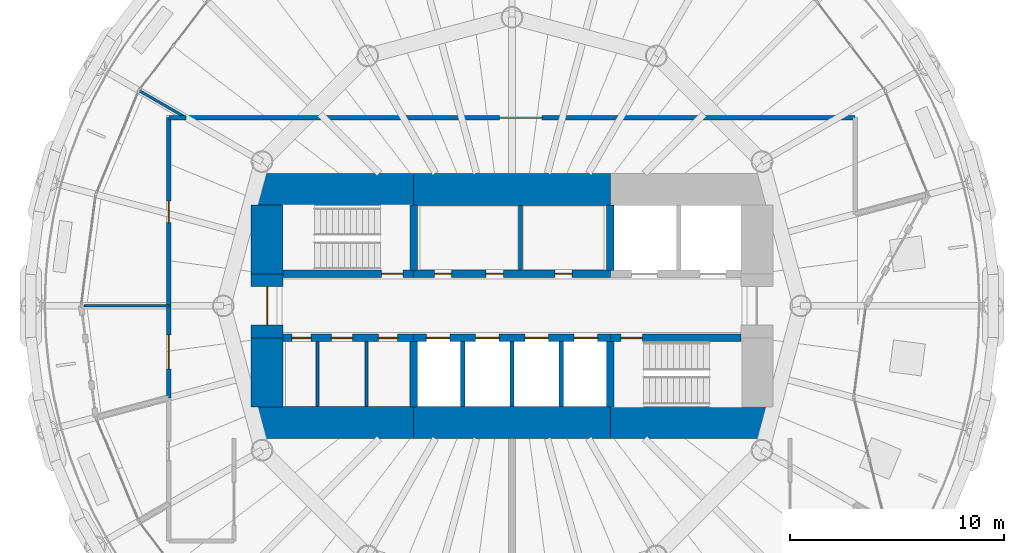
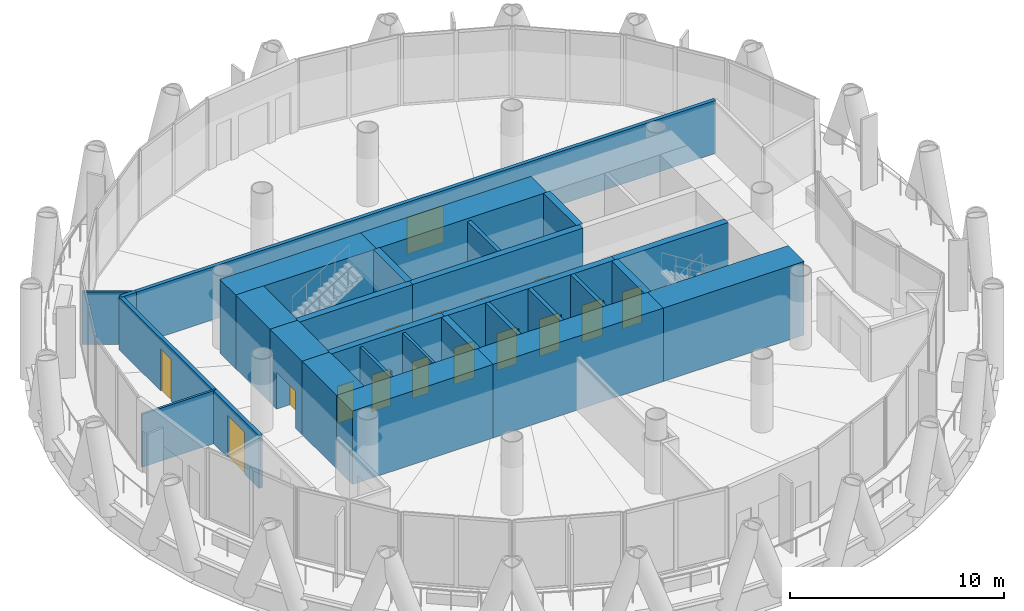
# One storey, part 9 of 13: 29 walls, 16 doors, 16 openings.
"""IFC4 building model written with IfcOpenShell, lengths in metres."""

from ifc_helpers import new_model, si_unit, direction, frame, frame_2d, origin, place, context, subcontext, project, spatial, rectangle, extrude, material, layer, layer_set, type_object, element, fill, save


model = new_model("IFC4")

# Units and contexts
model_context = context("Model", 3, precision=1e-05, world=origin(), true_north=direction((0.0, 1.0)))
body_context = subcontext(model_context, "Body", "Model", "MODEL_VIEW")
ifc_project = project(units=[si_unit("LENGTHUNIT", "METRE"), si_unit("AREAUNIT", "SQUARE_METRE"), si_unit("VOLUMEUNIT", "CUBIC_METRE"), si_unit("PLANEANGLEUNIT", "RADIAN"), si_unit("MASSUNIT", "GRAM", prefix="KILO")], contexts=[model_context])

# Site, building, storey
site_placement = place(None, origin())
site = spatial("IfcSite", under=ifc_project, at=site_placement, CompositionType="ELEMENT")
building_placement = place(site_placement, origin())
building = spatial("IfcBuilding", under=site, at=building_placement, Name="Qaws Media Tower", CompositionType="ELEMENT")
storey_placement = place(building_placement, frame((0.0, 0.0, 223.39990234375)))
storey = spatial("IfcBuildingStorey", under=building, at=storey_placement, Name="L51", CompositionType="ELEMENT", Elevation=223.39990234375)

# Wall, opening, door
ifc_material_1 = material(Name="Concrete C60/75", Category="concrete")
ifc_layer_1 = layer(ifc_material_1, 0.35009765625)
ifc_layer_set_1 = layer_set([ifc_layer_1], Name="Core inner wall 350")
wall_type_1 = type_object("IfcWallType", Name="Core inner wall 350", PredefinedType="SHEAR", material=ifc_layer_set_1)
wall_1_placement = place(storey_placement, frame((49.280029296875, 51.5, 0.0), z_axis=(0.0, 0.0, 1.0), x_axis=(1.0, 0.0, 0.0)))
wall_1 = element("IfcWall", 1, at=wall_1_placement, inside=storey, type_object=wall_type_1, Name="W301 SW5 core wall SPNW L51", PredefinedType="SHEAR", context=body_context, shape_type="SweptSolid", body=[
    extrude(rectangle(XDim=6.119873046875, YDim=0.35009765625, at=frame_2d((3.06005859375, 0.0))), origin(), (0.0, 0.0, 1.0), 4.2001953125),
])
opening_1_placement = place(wall_1_placement, frame((4.6201171875, 0.0, 0.0)))
opening_1 = element("IfcOpeningElement", 2, at=opening_1_placement, cuts=wall_1, Name="Opening D1", PredefinedType="OPENING", context=body_context, shape_type="SweptSolid", body=[
    extrude(rectangle(XDim=1.0, YDim=2.10009765625, at=frame_2d((0.5, 1.050048828125))), frame((0.0, 0.18505859375, 0.0), z_axis=(0.0, -1.0, 0.0), x_axis=(1.0, 0.0, 0.0)), (0.0, 0.0, 1.0), 0.3701171875),
])
ifc_material_2 = material(Name="Steel, fire rated", Category="steel")
door_type_1 = type_object("IfcDoorType", Name="Stair door 1000 FD120", OperationType="SINGLE_SWING_LEFT", PredefinedType="DOOR", material=ifc_material_2)
door_1_placement = place(opening_1_placement, origin())
door_1 = element("IfcDoor", 3, at=door_1_placement, inside=storey, type_object=door_type_1, Name="D1 stair S1 door L51 in wall W301", OperationType="SINGLE_SWING_LEFT", OverallHeight=2.10009765625, OverallWidth=1.0, PredefinedType="DOOR", context=body_context, shape_type="SweptSolid", body=[
    extrude(rectangle(XDim=1.0, YDim=2.10009765625, at=frame_2d((0.5, 1.050048828125))), frame((0.0, 0.02490234375, 0.0), z_axis=(0.0, -1.0, 0.0), x_axis=(1.0, 0.0, 0.0)), (0.0, 0.0, 1.0), 0.050048828125),
])
fill(opening_1, door_1)

# Wall, openings, doors
wall_2_placement = place(storey_placement, frame((55.39990234375, 51.5, 0.0), z_axis=(0.0, 0.0, 1.0), x_axis=(1.0, 0.0, 0.0)))
wall_2 = element("IfcWall", 4, at=wall_2_placement, inside=storey, type_object=wall_type_1, Name="W304 SW5 core wall SPN L51", PredefinedType="SHEAR", context=body_context, shape_type="SweptSolid", body=[
    extrude(rectangle(XDim=9.2001953125, YDim=0.35009765625, at=frame_2d((4.60009765625, 0.0))), origin(), (0.0, 0.0, 1.0), 4.2001953125),
])
opening_2_placement = place(wall_2_placement, frame((0.981689453125, 0.0, 0.0)))
opening_2 = element("IfcOpeningElement", 5, at=opening_2_placement, cuts=wall_2, Name="Opening D23", PredefinedType="OPENING", context=body_context, shape_type="SweptSolid", body=[
    extrude(rectangle(XDim=0.800048828125, YDim=2.10009765625, at=frame_2d((0.39990234375, 1.050048828125))), frame((0.0, 0.18505859375, 0.0), z_axis=(0.0, -1.0, 0.0), x_axis=(1.0, 0.0, 0.0)), (0.0, 0.0, 1.0), 0.3701171875),
])
opening_3_placement = place(wall_2_placement, frame((3.3955078125, 0.0, 0.0)))
opening_3 = element("IfcOpeningElement", 6, at=opening_3_placement, cuts=wall_2, Name="Opening D23", PredefinedType="OPENING", context=body_context, shape_type="SweptSolid", body=[
    extrude(rectangle(XDim=0.800048828125, YDim=2.10009765625, at=frame_2d((0.39990234375, 1.050048828125))), frame((0.0, 0.18505859375, 0.0), z_axis=(0.0, -1.0, 0.0), x_axis=(1.0, 0.0, 0.0)), (0.0, 0.0, 1.0), 0.3701171875),
])
opening_4_placement = place(wall_2_placement, frame((6.613525390625, 0.0, 0.0)))
opening_4 = element("IfcOpeningElement", 7, at=opening_4_placement, cuts=wall_2, Name="Opening D23", PredefinedType="OPENING", context=body_context, shape_type="SweptSolid", body=[
    extrude(rectangle(XDim=0.800048828125, YDim=2.10009765625, at=frame_2d((0.39990234375, 1.050048828125))), frame((0.0, 0.18505859375, 0.0), z_axis=(0.0, -1.0, 0.0), x_axis=(1.0, 0.0, 0.0)), (0.0, 0.0, 1.0), 0.3701171875),
])
ifc_material_3 = material(Name="Steel, fire rated", Category="steel")
door_type_2 = type_object("IfcDoorType", Name="Core room door 800x2100", OperationType="SINGLE_SWING_LEFT", PredefinedType="DOOR", material=ifc_material_3)
door_2_placement = place(opening_2_placement, origin())
door_2 = element("IfcDoor", 8, at=door_2_placement, inside=storey, type_object=door_type_2, Name="D23 Ladies toilets door L51 1 in wall W304", OperationType="SINGLE_SWING_LEFT", OverallHeight=2.10009765625, OverallWidth=0.800048828125, PredefinedType="DOOR", context=body_context, shape_type="SweptSolid", body=[
    extrude(rectangle(XDim=0.800048828125, YDim=2.10009765625, at=frame_2d((0.39990234375, 1.050048828125))), frame((0.0, 0.02490234375, 0.0), z_axis=(0.0, -1.0, 0.0), x_axis=(1.0, 0.0, 0.0)), (0.0, 0.0, 1.0), 0.050048828125),
])
fill(opening_2, door_2)
door_3_placement = place(opening_3_placement, origin())
door_3 = element("IfcDoor", 9, at=door_3_placement, inside=storey, type_object=door_type_2, Name="D23 Ladies toilets door L51 2 in wall W304", OperationType="SINGLE_SWING_LEFT", OverallHeight=2.10009765625, OverallWidth=0.800048828125, PredefinedType="DOOR", context=body_context, shape_type="SweptSolid", body=[
    extrude(rectangle(XDim=0.800048828125, YDim=2.10009765625, at=frame_2d((0.39990234375, 1.050048828125))), frame((0.0, 0.02490234375, 0.0), z_axis=(0.0, -1.0, 0.0), x_axis=(1.0, 0.0, 0.0)), (0.0, 0.0, 1.0), 0.050048828125),
])
fill(opening_3, door_3)
door_4_placement = place(opening_4_placement, origin())
door_4 = element("IfcDoor", 10, at=door_4_placement, inside=storey, type_object=door_type_2, Name="D23 Gents toilets door L51 in wall W304", OperationType="SINGLE_SWING_LEFT", OverallHeight=2.10009765625, OverallWidth=0.800048828125, PredefinedType="DOOR", context=body_context, shape_type="SweptSolid", body=[
    extrude(rectangle(XDim=0.800048828125, YDim=2.10009765625, at=frame_2d((0.39990234375, 1.050048828125))), frame((0.0, 0.02490234375, 0.0), z_axis=(0.0, -1.0, 0.0), x_axis=(1.0, 0.0, 0.0)), (0.0, 0.0, 1.0), 0.050048828125),
])
fill(opening_4, door_4)

wall_3_placement = place(storey_placement, frame((49.280029296875, 48.5, 0.0), z_axis=(0.0, 0.0, 1.0), x_axis=(1.0, 0.0, 0.0)))
wall_3 = element("IfcWall", 11, at=wall_3_placement, inside=storey, type_object=wall_type_1, Name="W300 SW5 core wall SPSW L51", PredefinedType="SHEAR", context=body_context, shape_type="SweptSolid", body=[
    extrude(rectangle(XDim=6.119873046875, YDim=0.35009765625, at=frame_2d((3.06005859375, 0.0))), origin(), (0.0, 0.0, 1.0), 4.2001953125),
])
opening_5_placement = place(wall_3_placement, frame((0.419921875, 0.0, 0.0)))
opening_5 = element("IfcOpeningElement", 12, at=opening_5_placement, cuts=wall_3, Name="Opening D25", PredefinedType="OPENING", context=body_context, shape_type="SweptSolid", body=[
    extrude(rectangle(XDim=0.89990234375, YDim=2.10009765625, at=frame_2d((0.449951171875, 1.050048828125))), frame((0.0, 0.18505859375, 0.0), z_axis=(0.0, -1.0, 0.0), x_axis=(1.0, 0.0, 0.0)), (0.0, 0.0, 1.0), 0.3701171875),
])
opening_6_placement = place(wall_3_placement, frame((2.27001953125, 0.0, 0.0)))
opening_6 = element("IfcOpeningElement", 13, at=opening_6_placement, cuts=wall_3, Name="Opening D4", PredefinedType="OPENING", context=body_context, shape_type="SweptSolid", body=[
    extrude(rectangle(XDim=1.0, YDim=2.10009765625, at=frame_2d((0.5, 1.050048828125))), frame((0.0, 0.18505859375, 0.0), z_axis=(0.0, -1.0, 0.0), x_axis=(1.0, 0.0, 0.0)), (0.0, 0.0, 1.0), 0.3701171875),
])
opening_7_placement = place(wall_3_placement, frame((4.469970703125, 0.0, 0.0)))
opening_7 = element("IfcOpeningElement", 14, at=opening_7_placement, cuts=wall_3, Name="Opening D25", PredefinedType="OPENING", context=body_context, shape_type="SweptSolid", body=[
    extrude(rectangle(XDim=0.89990234375, YDim=2.10009765625, at=frame_2d((0.449951171875, 1.050048828125))), frame((0.0, 0.18505859375, 0.0), z_axis=(0.0, -1.0, 0.0), x_axis=(1.0, 0.0, 0.0)), (0.0, 0.0, 1.0), 0.3701171875),
])
ifc_material_4 = material(Name="Timber veneered", Category="wood")
door_type_3 = type_object("IfcDoorType", Name="Accessible WC door 1000", OperationType="SLIDING_TO_LEFT", PredefinedType="DOOR", material=ifc_material_4)
door_5_placement = place(opening_6_placement, origin())
door_5 = element("IfcDoor", 15, at=door_5_placement, inside=storey, type_object=door_type_3, Name="D4 toilet door 2 L51 in wall W300", OperationType="SLIDING_TO_LEFT", OverallHeight=2.10009765625, OverallWidth=1.0, PredefinedType="DOOR", context=body_context, shape_type="SweptSolid", body=[
    extrude(rectangle(XDim=1.0, YDim=2.10009765625, at=frame_2d((0.5, 1.050048828125))), frame((0.0, 0.02490234375, 0.0), z_axis=(0.0, -1.0, 0.0), x_axis=(1.0, 0.0, 0.0)), (0.0, 0.0, 1.0), 0.050048828125),
])
fill(opening_6, door_5)
ifc_material_5 = material(Name="Steel, fire rated", Category="steel")
door_type_4 = type_object("IfcDoorType", Name="Core service door 900", OperationType="SINGLE_SWING_RIGHT", PredefinedType="DOOR", material=ifc_material_5)
door_6_placement = place(opening_5_placement, origin())
door_6 = element("IfcDoor", 16, at=door_6_placement, inside=storey, type_object=door_type_4, Name="D25 toilet door 1 L51 in wall W300", OperationType="SINGLE_SWING_RIGHT", OverallHeight=2.10009765625, OverallWidth=0.89990234375, PredefinedType="DOOR", context=body_context, shape_type="SweptSolid", body=[
    extrude(rectangle(XDim=0.89990234375, YDim=2.10009765625, at=frame_2d((0.449951171875, 1.050048828125))), frame((0.0, 0.02490234375, 0.0), z_axis=(0.0, -1.0, 0.0), x_axis=(1.0, 0.0, 0.0)), (0.0, 0.0, 1.0), 0.050048828125),
])
fill(opening_5, door_6)
door_7_placement = place(opening_7_placement, origin())
door_7 = element("IfcDoor", 17, at=door_7_placement, inside=storey, type_object=door_type_4, Name="D25 toilet door 3 L51 in wall W300", OperationType="SINGLE_SWING_RIGHT", OverallHeight=2.10009765625, OverallWidth=0.89990234375, PredefinedType="DOOR", context=body_context, shape_type="SweptSolid", body=[
    extrude(rectangle(XDim=0.89990234375, YDim=2.10009765625, at=frame_2d((0.449951171875, 1.050048828125))), frame((0.0, 0.02490234375, 0.0), z_axis=(0.0, -1.0, 0.0), x_axis=(1.0, 0.0, 0.0)), (0.0, 0.0, 1.0), 0.050048828125),
])
fill(opening_7, door_7)

wall_4_placement = place(storey_placement, frame((55.39990234375, 48.5, 0.0), z_axis=(0.0, 0.0, 1.0), x_axis=(1.0, 0.0, 0.0)))
wall_4 = element("IfcWall", 18, at=wall_4_placement, inside=storey, type_object=wall_type_1, Name="W303 SW5 core wall SPS L51", PredefinedType="SHEAR", context=body_context, shape_type="SweptSolid", body=[
    extrude(rectangle(XDim=9.2001953125, YDim=0.35009765625, at=frame_2d((4.60009765625, 0.0))), origin(), (0.0, 0.0, 1.0), 4.2001953125),
])
opening_8_placement = place(wall_4_placement, frame((0.60009765625, 0.0, 0.0)))
opening_8 = element("IfcOpeningElement", 19, at=opening_8_placement, cuts=wall_4, Name="Opening LD", PredefinedType="OPENING", context=body_context, shape_type="SweptSolid", body=[
    extrude(rectangle(XDim=1.10009765625, YDim=2.10009765625, at=frame_2d((0.550048828125, 1.050048828125))), frame((0.0, 0.18505859375, 0.0), z_axis=(0.0, -1.0, 0.0), x_axis=(1.0, 0.0, 0.0)), (0.0, 0.0, 1.0), 0.3701171875),
])
opening_9_placement = place(wall_4_placement, frame((2.89990234375, 0.0, 0.0)))
opening_9 = element("IfcOpeningElement", 20, at=opening_9_placement, cuts=wall_4, Name="Opening LD", PredefinedType="OPENING", context=body_context, shape_type="SweptSolid", body=[
    extrude(rectangle(XDim=1.10009765625, YDim=2.10009765625, at=frame_2d((0.550048828125, 1.050048828125))), frame((0.0, 0.18505859375, 0.0), z_axis=(0.0, -1.0, 0.0), x_axis=(1.0, 0.0, 0.0)), (0.0, 0.0, 1.0), 0.3701171875),
])
opening_10_placement = place(wall_4_placement, frame((5.199951171875, 0.0, 0.0)))
opening_10 = element("IfcOpeningElement", 21, at=opening_10_placement, cuts=wall_4, Name="Opening LD", PredefinedType="OPENING", context=body_context, shape_type="SweptSolid", body=[
    extrude(rectangle(XDim=1.10009765625, YDim=2.10009765625, at=frame_2d((0.550048828125, 1.050048828125))), frame((0.0, 0.18505859375, 0.0), z_axis=(0.0, -1.0, 0.0), x_axis=(1.0, 0.0, 0.0)), (0.0, 0.0, 1.0), 0.3701171875),
])
opening_11_placement = place(wall_4_placement, frame((7.5, 0.0, 0.0)))
opening_11 = element("IfcOpeningElement", 22, at=opening_11_placement, cuts=wall_4, Name="Opening LD", PredefinedType="OPENING", context=body_context, shape_type="SweptSolid", body=[
    extrude(rectangle(XDim=1.10009765625, YDim=2.10009765625, at=frame_2d((0.550048828125, 1.050048828125))), frame((0.0, 0.18505859375, 0.0), z_axis=(0.0, -1.0, 0.0), x_axis=(1.0, 0.0, 0.0)), (0.0, 0.0, 1.0), 0.3701171875),
])
ifc_material_6 = material(Name="Steel, fire rated", Category="steel")
door_type_5 = type_object("IfcDoorType", Name="Lift landing door 1100", OperationType="SLIDING_TO_LEFT", PredefinedType="DOOR", material=ifc_material_6)
door_8_placement = place(opening_8_placement, origin())
door_8 = element("IfcDoor", 23, at=door_8_placement, inside=storey, type_object=door_type_5, Name="P5 landing door L51 in wall W303", OperationType="SLIDING_TO_LEFT", OverallHeight=2.10009765625, OverallWidth=1.10009765625, PredefinedType="DOOR", context=body_context, shape_type="SweptSolid", body=[
    extrude(rectangle(XDim=1.10009765625, YDim=2.10009765625, at=frame_2d((0.550048828125, 1.050048828125))), frame((0.0, 0.02490234375, 0.0), z_axis=(0.0, -1.0, 0.0), x_axis=(1.0, 0.0, 0.0)), (0.0, 0.0, 1.0), 0.050048828125),
])
fill(opening_8, door_8)
door_9_placement = place(opening_9_placement, origin())
door_9 = element("IfcDoor", 24, at=door_9_placement, inside=storey, type_object=door_type_5, Name="P6 landing door L51 in wall W303", OperationType="SLIDING_TO_LEFT", OverallHeight=2.10009765625, OverallWidth=1.10009765625, PredefinedType="DOOR", context=body_context, shape_type="SweptSolid", body=[
    extrude(rectangle(XDim=1.10009765625, YDim=2.10009765625, at=frame_2d((0.550048828125, 1.050048828125))), frame((0.0, 0.02490234375, 0.0), z_axis=(0.0, -1.0, 0.0), x_axis=(1.0, 0.0, 0.0)), (0.0, 0.0, 1.0), 0.050048828125),
])
fill(opening_9, door_9)
door_10_placement = place(opening_10_placement, origin())
door_10 = element("IfcDoor", 25, at=door_10_placement, inside=storey, type_object=door_type_5, Name="P7 landing door L51 in wall W303", OperationType="SLIDING_TO_LEFT", OverallHeight=2.10009765625, OverallWidth=1.10009765625, PredefinedType="DOOR", context=body_context, shape_type="SweptSolid", body=[
    extrude(rectangle(XDim=1.10009765625, YDim=2.10009765625, at=frame_2d((0.550048828125, 1.050048828125))), frame((0.0, 0.02490234375, 0.0), z_axis=(0.0, -1.0, 0.0), x_axis=(1.0, 0.0, 0.0)), (0.0, 0.0, 1.0), 0.050048828125),
])
fill(opening_10, door_10)
door_11_placement = place(opening_11_placement, origin())
door_11 = element("IfcDoor", 26, at=door_11_placement, inside=storey, type_object=door_type_5, Name="P8 landing door L51 in wall W303", OperationType="SLIDING_TO_LEFT", OverallHeight=2.10009765625, OverallWidth=1.10009765625, PredefinedType="DOOR", context=body_context, shape_type="SweptSolid", body=[
    extrude(rectangle(XDim=1.10009765625, YDim=2.10009765625, at=frame_2d((0.550048828125, 1.050048828125))), frame((0.0, 0.02490234375, 0.0), z_axis=(0.0, -1.0, 0.0), x_axis=(1.0, 0.0, 0.0)), (0.0, 0.0, 1.0), 0.050048828125),
])
fill(opening_11, door_11)

# Wall, opening, door
wall_5_placement = place(storey_placement, frame((64.60009765625, 48.5, 0.0), z_axis=(0.0, 0.0, 1.0), x_axis=(1.0, 0.0, 0.0)))
wall_5 = element("IfcWall", 27, at=wall_5_placement, inside=storey, type_object=wall_type_1, Name="W307 SW5 core wall SPSE L51", PredefinedType="SHEAR", context=body_context, shape_type="SweptSolid", body=[
    extrude(rectangle(XDim=6.119873046875, YDim=0.35009765625, at=frame_2d((3.06005859375, 0.0))), origin(), (0.0, 0.0, 1.0), 4.2001953125),
])
opening_12_placement = place(wall_5_placement, frame((0.5, 0.0, 0.0)))
opening_12 = element("IfcOpeningElement", 28, at=opening_12_placement, cuts=wall_5, Name="Opening D1", PredefinedType="OPENING", context=body_context, shape_type="SweptSolid", body=[
    extrude(rectangle(XDim=1.0, YDim=2.10009765625, at=frame_2d((0.5, 1.050048828125))), frame((0.0, 0.18505859375, 0.0), z_axis=(0.0, -1.0, 0.0), x_axis=(1.0, 0.0, 0.0)), (0.0, 0.0, 1.0), 0.3701171875),
])
door_12_placement = place(opening_12_placement, origin())
door_12 = element("IfcDoor", 29, at=door_12_placement, inside=storey, type_object=door_type_1, Name="D1 stair S2 door L51 in wall W307", OperationType="SINGLE_SWING_LEFT", OverallHeight=2.10009765625, OverallWidth=1.0, PredefinedType="DOOR", context=body_context, shape_type="SweptSolid", body=[
    extrude(rectangle(XDim=1.0, YDim=2.10009765625, at=frame_2d((0.5, 1.050048828125))), frame((0.0, 0.02490234375, 0.0), z_axis=(0.0, -1.0, 0.0), x_axis=(1.0, 0.0, 0.0)), (0.0, 0.0, 1.0), 0.050048828125),
])
fill(opening_12, door_12)

# Walls
for number, where, z_axis, x_axis, name in (
    (30, (55.39990234375, 51.655029296875, 0.0), (0.0, 0.0, 1.0), (0.0, 1.0, 0.0), "W305 SW5 core wall XNW L51"),
    (31, (64.60009765625, 51.655029296875, 0.0), (0.0, 0.0, 1.0), (0.0, 1.0, 0.0), "W309 SW5 core wall XNE L51"),
    (32, (55.39990234375, 48.344970703125, 0.0), (0.0, 0.0, 1.0), (0.0, -1.0, 0.0), "W302 SW5 core wall XSW L51"),
    (33, (64.60009765625, 48.344970703125, 0.0), (0.0, 0.0, 1.0), (0.0, -1.0, 0.0), "W306 SW5 core wall XSE L51"),
):
    element("IfcWall", number, at=place(storey_placement, frame(where, z_axis=z_axis, x_axis=x_axis)), inside=storey, type_object=wall_type_1, Name=name, PredefinedType="SHEAR", context=body_context, shape_type="SweptSolid", body=[
        extrude(rectangle(XDim=3.06494140625, YDim=0.35009765625, at=frame_2d((1.532470703125, 0.0))), origin(), (0.0, 0.0, 1.0), 4.2001953125),
    ])
ifc_material_7 = material(Name="Concrete C60/75", Category="concrete")
ifc_layer_2 = layer(ifc_material_7, 1.5)
ifc_layer_set_2 = layer_set([ifc_layer_2], Name="Core wall 1500")
wall_type_2 = type_object("IfcWallType", Name="Core wall 1500", PredefinedType="SHEAR", material=ifc_layer_set_2)
wall_6_placement = place(storey_placement, frame((47.800048828125, 55.449951171875, 0.0), z_axis=(0.0, 0.0, 1.0), x_axis=(1.0, 0.0, 0.0)))
element("IfcWall", 34, at=wall_6_placement, inside=storey, type_object=wall_type_2, Name="W377 SW13 core wall NW L51", PredefinedType="SHEAR", context=body_context, shape_type="SweptSolid", body=[
    extrude(rectangle(XDim=7.599853515625, YDim=1.5, at=frame_2d((3.7998046875, 0.0))), origin(), (0.0, 0.0, 1.0), 4.2001953125),
])
wall_7_placement = place(storey_placement, frame((55.39990234375, 55.449951171875, 0.0), z_axis=(0.0, 0.0, 1.0), x_axis=(1.0, 0.0, 0.0)))
element("IfcWall", 35, at=wall_7_placement, inside=storey, type_object=wall_type_2, Name="W373 SW13 core wall N L51", PredefinedType="SHEAR", context=body_context, shape_type="SweptSolid", body=[
    extrude(rectangle(XDim=9.2001953125, YDim=1.5, at=frame_2d((4.60009765625, 0.0))), origin(), (0.0, 0.0, 1.0), 4.2001953125),
])
wall_8_placement = place(storey_placement, frame((47.800048828125, 44.550048828125, 0.0), z_axis=(0.0, 0.0, 1.0), x_axis=(1.0, 0.0, 0.0)))
element("IfcWall", 36, at=wall_8_placement, inside=storey, type_object=wall_type_2, Name="W376 SW13 core wall SW L51", PredefinedType="SHEAR", context=body_context, shape_type="SweptSolid", body=[
    extrude(rectangle(XDim=7.599853515625, YDim=1.5, at=frame_2d((3.7998046875, 0.0))), origin(), (0.0, 0.0, 1.0), 4.2001953125),
])
wall_9_placement = place(storey_placement, frame((55.39990234375, 44.550048828125, 0.0), z_axis=(0.0, 0.0, 1.0), x_axis=(1.0, 0.0, 0.0)))
element("IfcWall", 37, at=wall_9_placement, inside=storey, type_object=wall_type_2, Name="W372 SW13 core wall S L51", PredefinedType="SHEAR", context=body_context, shape_type="SweptSolid", body=[
    extrude(rectangle(XDim=9.2001953125, YDim=1.5, at=frame_2d((4.60009765625, 0.0))), origin(), (0.0, 0.0, 1.0), 4.2001953125),
])
wall_10_placement = place(storey_placement, frame((64.60009765625, 44.550048828125, 0.0), z_axis=(0.0, 0.0, 1.0), x_axis=(1.0, 0.0, 0.0)))
element("IfcWall", 38, at=wall_10_placement, inside=storey, type_object=wall_type_2, Name="W381 SW13 core wall SE L51", PredefinedType="SHEAR", context=body_context, shape_type="SweptSolid", body=[
    extrude(rectangle(XDim=7.599853515625, YDim=1.5, at=frame_2d((3.7998046875, 0.0))), origin(), (0.0, 0.0, 1.0), 4.2001953125),
])
wall_11_placement = place(storey_placement, frame((48.550048828125, 45.280029296875, 0.0), z_axis=(0.0, 0.0, 1.0), x_axis=(0.0, 1.0, 0.0)))
element("IfcWall", 39, at=wall_11_placement, inside=storey, type_object=wall_type_2, Name="W378 SW13 core wall WS L51", PredefinedType="SHEAR", context=body_context, shape_type="SweptSolid", body=[
    extrude(rectangle(XDim=3.219970703125, YDim=1.5, at=frame_2d((1.60986328125, 0.0))), origin(), (0.0, 0.0, 1.0), 4.2001953125),
])

# Wall, opening, door
wall_12_placement = place(storey_placement, frame((48.550048828125, 48.5, 0.0), z_axis=(0.0, 0.0, 1.0), x_axis=(0.0, 1.0, 0.0)))
wall_12 = element("IfcWall", 40, at=wall_12_placement, inside=storey, type_object=wall_type_2, Name="W379 SW13 core wall W L51", PredefinedType="SHEAR", context=body_context, shape_type="SweptSolid", body=[
    extrude(rectangle(XDim=3.0, YDim=1.5, at=frame_2d((1.5, 0.0))), origin(), (0.0, 0.0, 1.0), 4.2001953125),
])
opening_13_placement = place(wall_12_placement, frame((0.60009765625, 0.0, 0.0)))
opening_13 = element("IfcOpeningElement", 41, at=opening_13_placement, cuts=wall_12, Name="Opening D2", PredefinedType="OPENING", context=body_context, shape_type="SweptSolid", body=[
    extrude(rectangle(XDim=1.800048828125, YDim=2.10009765625, at=frame_2d((0.89990234375, 1.050048828125))), frame((0.0, 0.760009765625, 0.0), z_axis=(0.0, -1.0, 0.0), x_axis=(1.0, 0.0, 0.0)), (0.0, 0.0, 1.0), 1.52001953125),
])
ifc_material_8 = material(Name="Steel and glass, fire rated", Category="steel")
door_type_6 = type_object("IfcDoorType", Name="Lobby door pair 1800 FD60", OperationType="DOUBLE_DOOR_DOUBLE_SWING", PredefinedType="DOOR", material=ifc_material_8)
door_13_placement = place(opening_13_placement, origin())
door_13 = element("IfcDoor", 42, at=door_13_placement, inside=storey, type_object=door_type_6, Name="D2 core lobby door W L51 in wall W379", OperationType="DOUBLE_DOOR_DOUBLE_SWING", OverallHeight=2.10009765625, OverallWidth=1.800048828125, PredefinedType="DOOR", context=body_context, shape_type="SweptSolid", body=[
    extrude(rectangle(XDim=1.800048828125, YDim=2.10009765625, at=frame_2d((0.89990234375, 1.050048828125))), frame((0.0, 0.02490234375, 0.0), z_axis=(0.0, -1.0, 0.0), x_axis=(1.0, 0.0, 0.0)), (0.0, 0.0, 1.0), 0.050048828125),
])
fill(opening_13, door_13)

# Walls
wall_13_placement = place(storey_placement, frame((48.550048828125, 51.5, 0.0), z_axis=(0.0, 0.0, 1.0), x_axis=(0.0, 1.0, 0.0)))
element("IfcWall", 43, at=wall_13_placement, inside=storey, type_object=wall_type_2, Name="W380 SW13 core wall WN L51", PredefinedType="SHEAR", context=body_context, shape_type="SweptSolid", body=[
    extrude(rectangle(XDim=3.219970703125, YDim=1.5, at=frame_2d((1.60986328125, 0.0))), origin(), (0.0, 0.0, 1.0), 4.2001953125),
])
ifc_material_9 = material(Name="Two layers gypsum board each side on 75 studs, insulated", Category="gypsum")
ifc_layer_3 = layer(ifc_material_9, 0.125)
ifc_layer_set_3 = layer_set([ifc_layer_3], Name="Meeting room partition 125 Rw 48")
wall_type_3 = type_object("IfcWallType", Name="Meeting room partition 125 Rw 48", PredefinedType="PARTITIONING", material=ifc_layer_set_3)
wall_14_placement = place(storey_placement, frame((44.758056640625, 58.800048828125, 0.0), z_axis=(0.0, 0.0, 1.0), x_axis=(-0.86605601295, 0.499946979623, 0.0)))
element("IfcWall", 44, at=wall_14_placement, inside=storey, type_object=wall_type_3, Name="W606 IW5 partition L51", PredefinedType="PARTITIONING", context=body_context, shape_type="SweptSolid", body=[
    extrude(rectangle(XDim=2.510009765625, YDim=0.125, at=frame_2d((1.2548828125, 0.0))), origin(), (0.0, 0.0, 1.0), 3.02001953125),
])
wall_15_placement = place(storey_placement, frame((43.9599609375, 50.0, 0.0), z_axis=(0.0, 0.0, 1.0), x_axis=(-1.0, 0.0, 0.0)))
element("IfcWall", 45, at=wall_15_placement, inside=storey, type_object=wall_type_3, Name="W605 IW5 partition L51", PredefinedType="PARTITIONING", context=body_context, shape_type="SweptSolid", body=[
    extrude(rectangle(XDim=3.969970703125, YDim=0.125, at=frame_2d((1.98486328125, 0.0))), origin(), (0.0, 0.0, 1.0), 3.02001953125),
])
ifc_material_10 = material(Name="Gypsum board on galvanised metal studs, acoustic double stud, deflection head", Category="gypsum")
ifc_layer_4 = layer(ifc_material_10, 0.199951171875)
ifc_layer_set_4 = layer_set([ifc_layer_4], Name="Room partition 200")
wall_type_4 = type_object("IfcWallType", Name="Room partition 200", PredefinedType="PARTITIONING", material=ifc_layer_set_4)
wall_16_placement = place(storey_placement, frame((43.949951171875, 58.800048828125, 0.0), z_axis=(0.0, 0.0, 1.0), x_axis=(1.0, 0.0, 0.0)))
element("IfcWall", 46, at=wall_16_placement, inside=storey, type_object=wall_type_4, Name="W1595 IW3 partition L51", PredefinedType="PARTITIONING", context=body_context, shape_type="SweptSolid", body=[
    extrude(rectangle(XDim=0.80810546875, YDim=0.199951171875, at=frame_2d((0.404052734375, 0.0))), origin(), (0.0, 0.0, 1.0), 3.02001953125),
])

# Wall, opening, door
wall_17_placement = place(storey_placement, frame((44.758056640625, 58.800048828125, 0.0), z_axis=(0.0, 0.0, 1.0), x_axis=(1.0, 0.0, 0.0)))
wall_17 = element("IfcWall", 47, at=wall_17_placement, inside=storey, type_object=wall_type_4, Name="W1597 IW3 partition L51", PredefinedType="PARTITIONING", context=body_context, shape_type="SweptSolid", body=[
    extrude(rectangle(XDim=31.2919921875, YDim=0.199951171875, at=frame_2d((15.64599609375, 0.0))), origin(), (0.0, 0.0, 1.0), 3.02001953125),
])
opening_14_placement = place(wall_17_placement, frame((14.64599609375, 0.0, 0.0)))
opening_14 = element("IfcOpeningElement", 48, at=opening_14_placement, cuts=wall_17, Name="Opening D6", PredefinedType="OPENING", context=body_context, shape_type="SweptSolid", body=[
    extrude(rectangle(XDim=2.0, YDim=2.10009765625, at=frame_2d((1.0, 1.050048828125))), frame((0.0, 0.10986328125, 0.0), z_axis=(0.0, -1.0, 0.0), x_axis=(1.0, 0.0, 0.0)), (0.0, 0.0, 1.0), 0.219970703125),
])
ifc_material_11 = material(Name="Steel, acoustic, fire rated", Category="steel")
door_type_7 = type_object("IfcDoorType", Name="Room door pair 2000", OperationType="DOUBLE_DOOR_DOUBLE_SWING", PredefinedType="DOOR", material=ifc_material_11)
door_14_placement = place(opening_14_placement, origin())
door_14 = element("IfcDoor", 49, at=door_14_placement, inside=storey, type_object=door_type_7, Name="D6 Tenant office door L51 in wall W1597", OperationType="DOUBLE_DOOR_DOUBLE_SWING", OverallHeight=2.10009765625, OverallWidth=2.0, PredefinedType="DOOR", context=body_context, shape_type="SweptSolid", body=[
    extrude(rectangle(XDim=2.0, YDim=2.10009765625, at=frame_2d((1.0, 1.050048828125))), frame((0.0, 0.02490234375, 0.0), z_axis=(0.0, -1.0, 0.0), x_axis=(1.0, 0.0, 0.0)), (0.0, 0.0, 1.0), 0.050048828125),
])
fill(opening_14, door_14)

wall_18_placement = place(storey_placement, frame((43.949951171875, 45.699462890625, 0.0), z_axis=(0.0, 0.0, 1.0), x_axis=(0.0, 1.0, 0.0)))
wall_18 = element("IfcWall", 50, at=wall_18_placement, inside=storey, type_object=wall_type_4, Name="W1593 IW3 partition L51", PredefinedType="PARTITIONING", context=body_context, shape_type="SweptSolid", body=[
    extrude(rectangle(XDim=4.300537109375, YDim=0.199951171875, at=frame_2d((2.150390625, 0.0))), origin(), (0.0, 0.0, 1.0), 3.02001953125),
])
opening_15_placement = place(wall_18_placement, frame((1.350341796875, 0.0, 0.0)))
opening_15 = element("IfcOpeningElement", 51, at=opening_15_placement, cuts=wall_18, Name="Opening D16", PredefinedType="OPENING", context=body_context, shape_type="SweptSolid", body=[
    extrude(rectangle(XDim=1.60009765625, YDim=2.39990234375, at=frame_2d((0.800048828125, 1.199951171875))), frame((0.0, 0.10986328125, 0.0), z_axis=(0.0, -1.0, 0.0), x_axis=(1.0, 0.0, 0.0)), (0.0, 0.0, 1.0), 0.219970703125),
])
ifc_material_12 = material(Name="Glazed aluminium, fire rated", Category="aluminium")
door_type_8 = type_object("IfcDoorType", Name="Tenant entrance door pair 1600x2400", OperationType="DOUBLE_DOOR_DOUBLE_SWING", PredefinedType="DOOR", material=ifc_material_12)
door_15_placement = place(opening_15_placement, origin())
door_15 = element("IfcDoor", 52, at=door_15_placement, inside=storey, type_object=door_type_8, Name="D16 Tenant reception door L51 in wall W1593", OperationType="DOUBLE_DOOR_DOUBLE_SWING", OverallHeight=2.39990234375, OverallWidth=1.60009765625, PredefinedType="DOOR", context=body_context, shape_type="SweptSolid", body=[
    extrude(rectangle(XDim=1.60009765625, YDim=2.39990234375, at=frame_2d((0.800048828125, 1.199951171875))), frame((0.0, 0.02490234375, 0.0), z_axis=(0.0, -1.0, 0.0), x_axis=(1.0, 0.0, 0.0)), (0.0, 0.0, 1.0), 0.050048828125),
])
fill(opening_15, door_15)

wall_19_placement = place(storey_placement, frame((43.949951171875, 50.0, 0.0), z_axis=(0.0, 0.0, 1.0), x_axis=(0.0, 1.0, 0.0)))
wall_19 = element("IfcWall", 53, at=wall_19_placement, inside=storey, type_object=wall_type_4, Name="W1594 IW3 partition L51", PredefinedType="PARTITIONING", context=body_context, shape_type="SweptSolid", body=[
    extrude(rectangle(XDim=8.800048828125, YDim=0.199951171875, at=frame_2d((4.39990234375, 0.0))), origin(), (0.0, 0.0, 1.0), 3.02001953125),
])
opening_16_placement = place(wall_19_placement, frame((3.89990234375, 0.0, 0.0)))
opening_16 = element("IfcOpeningElement", 54, at=opening_16_placement, cuts=wall_19, Name="Opening D13", PredefinedType="OPENING", context=body_context, shape_type="SweptSolid", body=[
    extrude(rectangle(XDim=1.0, YDim=2.39990234375, at=frame_2d((0.5, 1.199951171875))), frame((0.0, 0.10986328125, 0.0), z_axis=(0.0, -1.0, 0.0), x_axis=(1.0, 0.0, 0.0)), (0.0, 0.0, 1.0), 0.219970703125),
])
ifc_material_13 = material(Name="Frameless toughened glass, acoustic seals", Category="glass")
door_type_9 = type_object("IfcDoorType", Name="Glazed meeting room door 1000x2400", OperationType="SINGLE_SWING_LEFT", PredefinedType="DOOR", material=ifc_material_13)
door_16_placement = place(opening_16_placement, origin())
door_16 = element("IfcDoor", 55, at=door_16_placement, inside=storey, type_object=door_type_9, Name="D13 Meeting room door L51 in wall W1594", OperationType="SINGLE_SWING_LEFT", OverallHeight=2.39990234375, OverallWidth=1.0, PredefinedType="DOOR", context=body_context, shape_type="SweptSolid", body=[
    extrude(rectangle(XDim=1.0, YDim=2.39990234375, at=frame_2d((0.5, 1.199951171875))), frame((0.0, 0.02490234375, 0.0), z_axis=(0.0, -1.0, 0.0), x_axis=(1.0, 0.0, 0.0)), (0.0, 0.0, 1.0), 0.050048828125),
])
fill(opening_16, door_16)

# Walls
wall_20_placement = place(storey_placement, frame((60.40234375, 51.675048828125, 0.0), z_axis=(0.0, 0.0, 1.0), x_axis=(0.0, 1.0, 0.0)))
element("IfcWall", 56, at=wall_20_placement, inside=storey, type_object=wall_type_4, Name="W1574 IW3 core room partition 1 L51", PredefinedType="PARTITIONING", context=body_context, shape_type="SweptSolid", body=[
    extrude(rectangle(XDim=3.02490234375, YDim=0.199951171875, at=frame_2d((1.512451171875, 0.0))), origin(), (0.0, 0.0, 1.0), 4.0400390625),
])
ifc_material_14 = material(Name="Fire-rated gypsum board shaft wall on galvanised metal studs, deflection head", Category="gypsum")
ifc_layer_5 = layer(ifc_material_14, 0.199951171875)
ifc_layer_set_5 = layer_set([ifc_layer_5], Name="Shaft wall 200")
wall_type_5 = type_object("IfcWallType", Name="Shaft wall 200", PredefinedType="PARTITIONING", material=ifc_layer_set_5)
for number, where, z_axis, x_axis, name in (
    (57, (57.699951171875, 45.300048828125, 0.0), (0.0, 0.0, 1.0), (0.0, 1.0, 0.0), "W1871 IW1 shaft wall S1 L51"),
    (58, (60.0, 45.300048828125, 0.0), (0.0, 0.0, 1.0), (0.0, 1.0, 0.0), "W1872 IW1 shaft wall S2 L51"),
    (59, (62.300048828125, 45.300048828125, 0.0), (0.0, 0.0, 1.0), (0.0, 1.0, 0.0), "W1873 IW1 shaft wall S3 L51"),
):
    element("IfcWall", number, at=place(storey_placement, frame(where, z_axis=z_axis, x_axis=x_axis)), inside=storey, type_object=wall_type_5, Name=name, PredefinedType="PARTITIONING", context=body_context, shape_type="SweptSolid", body=[
        extrude(rectangle(XDim=3.02490234375, YDim=0.199951171875, at=frame_2d((1.512451171875, 0.0))), origin(), (0.0, 0.0, 1.0), 4.2001953125),
    ])
ifc_material_15 = material(Name="Gypsum board on galvanised metal studs, deflection head", Category="gypsum")
ifc_layer_6 = layer(ifc_material_15, 0.14990234375)
ifc_layer_set_6 = layer_set([ifc_layer_6], Name="WC partition 150")
wall_type_6 = type_object("IfcWallType", Name="WC partition 150", PredefinedType="PARTITIONING", material=ifc_layer_set_6)
for number, where, z_axis, x_axis, name in (
    (60, (50.89990234375, 45.300048828125, 0.0), (0.0, 0.0, 1.0), (0.0, 1.0, 0.0), "W1923 IW2 toilet partition 1 L51"),
    (61, (53.199951171875, 45.300048828125, 0.0), (0.0, 0.0, 1.0), (0.0, 1.0, 0.0), "W1924 IW2 toilet partition 2 L51"),
):
    element("IfcWall", number, at=place(storey_placement, frame(where, z_axis=z_axis, x_axis=x_axis)), inside=storey, type_object=wall_type_6, Name=name, PredefinedType="PARTITIONING", context=body_context, shape_type="SweptSolid", body=[
        extrude(rectangle(XDim=3.02490234375, YDim=0.14990234375, at=frame_2d((1.512451171875, 0.0))), origin(), (0.0, 0.0, 1.0), 4.0400390625),
    ])

save(model, "model.ifc")
